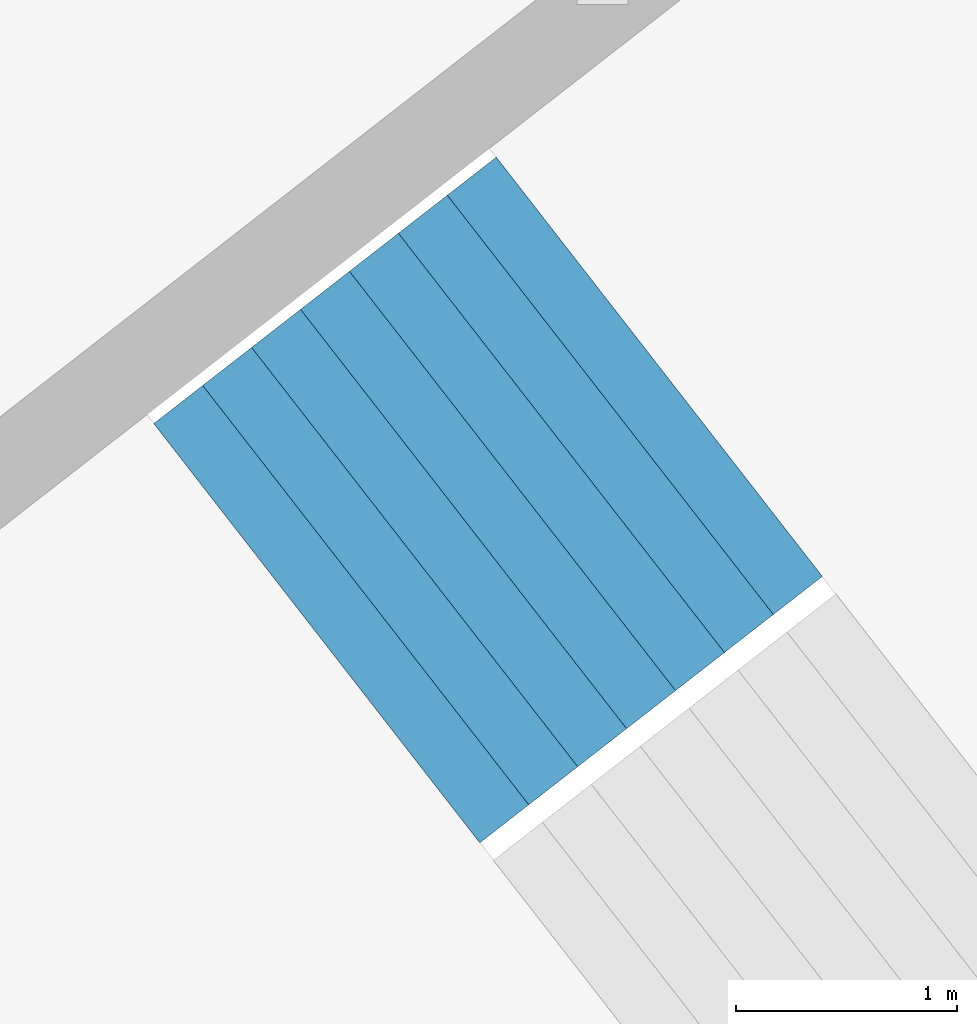
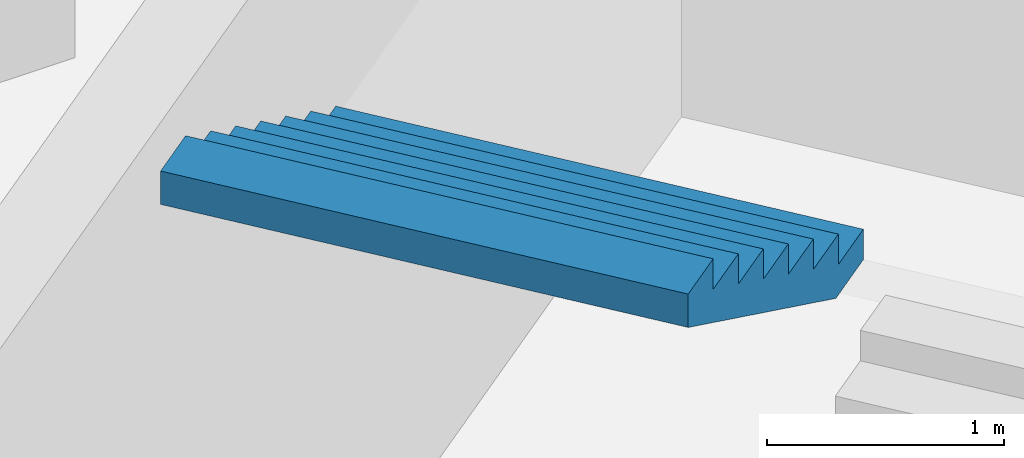
# One storey, part 64 of 73: 1 stair flight, 1 element without a shape of its own.
"""IFC4 building model written with IfcOpenShell, lengths in metres."""

import ifcopenshell
import ifcopenshell.guid

model = None  # the IFC model being written
_history = None  # IfcOwnerHistory: only IFC2X3 demands one
_inside = {}  # id of a spatial element -> (the spatial element, [elements in it])
_under = {}  # id of a project, library or spatial element -> (it, [spatial elements below it])
_declared = {}  # id of a project -> (the project, [libraries it declares])
_typed = {}  # id of a type object -> (the type object, [elements of that type])
_made_of = {}  # id of a material, layer set ... -> (it, [elements and type objects made of it])


def new_model(schema):
    """Start an empty IFC model of exactly this schema.

    Asked for "IFC4X3", IfcOpenShell would pick the latest addendum, in which some entities
    have other attributes; the version numbers below select the first issue.
    IFC2X3 requires an IfcOwnerHistory on every rooted entity: one is made here for all.
    """
    global model, _history
    if schema == "IFC4X3":
        model = ifcopenshell.file(schema_version=(4, 3, 0, 0))
    else:
        model = ifcopenshell.file(schema=schema)
    _inside.clear()
    _under.clear()
    _declared.clear()
    _typed.clear()
    _made_of.clear()
    _history = None
    if model.schema == "IFC2X3":
        org = make("IfcOrganization", Name="unknown")
        user = make(
            "IfcPersonAndOrganization",
            ThePerson=make("IfcPerson", FamilyName="unknown"),
            TheOrganization=org,
        )
        app = make(
            "IfcApplication",
            ApplicationDeveloper=org,
            Version="unknown",
            ApplicationFullName="unknown",
            ApplicationIdentifier="unknown",
        )
        _history = make(
            "IfcOwnerHistory",
            OwningUser=user,
            OwningApplication=app,
            ChangeAction="ADDED",
            CreationDate=0,
        )
    return model


def make(cls, **values):
    """One entity of the class cls with the attributes given. An attribute that is None is left unset."""
    return model.create_entity(
        cls, **{name: value for name, value in values.items() if value is not None}
    )


def rooted(cls, **values):
    """An entity with a GlobalId (a new one), such as an element, a storey or a relation."""
    return make(cls, GlobalId=ifcopenshell.guid.new(), OwnerHistory=_history, **values)


def si_unit(unit_type, name, prefix=None):
    """IfcSIUnit, for example si_unit("LENGTHUNIT", "METRE", prefix="MILLI")."""
    return make("IfcSIUnit", UnitType=unit_type, Prefix=prefix, Name=name)


def assignment(units):
    """IfcUnitAssignment: the units of a project."""
    return None if units is None else make("IfcUnitAssignment", Units=units)


def point(xyz):
    """IfcCartesianPoint."""
    return None if xyz is None else make("IfcCartesianPoint", Coordinates=xyz)


def direction(xyz):
    """IfcDirection."""
    return None if xyz is None else make("IfcDirection", DirectionRatios=xyz)


def frame(location, z_axis=None, x_axis=None):
    """IfcAxis2Placement3D, a coordinate frame: its origin and axes. An axis left out is left unset."""
    return make(
        "IfcAxis2Placement3D",
        Location=point(location),
        Axis=direction(z_axis),
        RefDirection=direction(x_axis),
    )


def origin():
    """The frame at (0, 0, 0) with its axes left unset."""
    return frame((0.0, 0.0, 0.0))


def place(relative_to, where):
    """IfcLocalPlacement: puts the frame where relative to a parent placement (None: the world)."""
    return make(
        "IfcLocalPlacement", PlacementRelTo=relative_to, RelativePlacement=where
    )


def context(
    kind, dimensions, precision=None, world=None, true_north=None, identifier=None
):
    """IfcGeometricRepresentationContext, for example the 3D "Model" context."""
    return make(
        "IfcGeometricRepresentationContext",
        ContextIdentifier=identifier,
        ContextType=kind,
        CoordinateSpaceDimension=dimensions,
        Precision=precision,
        WorldCoordinateSystem=world,
        TrueNorth=true_north,
    )


def subcontext(parent, identifier, kind, view, scale=None):
    """IfcGeometricRepresentationSubContext, for example "Body" below "Model"."""
    return make(
        "IfcGeometricRepresentationSubContext",
        ContextIdentifier=identifier,
        ContextType=kind,
        ParentContext=parent,
        TargetScale=scale,
        TargetView=view,
    )


def project(units=None, contexts=None):
    """IfcProject with its units and contexts."""
    return rooted(
        "IfcProject",
        Name="project",
        RepresentationContexts=contexts,
        UnitsInContext=assignment(units),
    )


def spatial(cls, under=None, at=None, **own):
    """A site, building, storey or space (cls), placed at a placement, below another one or the project."""
    s = rooted(cls, ObjectPlacement=at, **own)
    if under is not None:
        _under.setdefault(under.id(), (under, []))[1].append(s)
    return s


def point_list(points):
    """IfcCartesianPointList2D or 3D."""
    cls = (
        "IfcCartesianPointList2D" if len(points[0]) == 2 else "IfcCartesianPointList3D"
    )
    return make(cls, CoordList=points)


def triangles(points, corners, closed=None, point_numbers=None):
    """IfcTriangulatedFaceSet: each triangle names its three corners, points numbered from 1."""
    return make(
        "IfcTriangulatedFaceSet",
        Coordinates=point_list(points),
        Closed=closed,
        CoordIndex=corners,
        PnIndex=point_numbers,
    )


def shape(context_of_items, identifier, shape_type, items):
    """IfcShapeRepresentation: the items that make up one representation, for example the "Body"."""
    return make(
        "IfcShapeRepresentation",
        ContextOfItems=context_of_items,
        RepresentationIdentifier=identifier,
        RepresentationType=shape_type,
        Items=items,
    )


def material(Name=None, Category=None):
    """IfcMaterial."""
    return make("IfcMaterial", Name=Name, Category=Category)


def made_of(thing, what):
    """Note that an element or type object is made of a material, layer set ...; save() writes the relation."""
    if what is not None:
        _made_of.setdefault(what.id(), (what, []))[1].append(thing)
    return thing


def type_object(cls, material=None, **own):
    """A type object (cls), such as IfcWallType, which elements share."""
    return made_of(rooted(cls, **own), material)


def element(
    cls,
    number,
    at=None,
    inside=None,
    cuts=None,
    type_object=None,
    material=None,
    context=None,
    identifier="Body",
    shape_type=None,
    held_by="IfcProductDefinitionShape",
    body=None,
    shapes=None,
    **own,
):
    """One element of the class cls, such as IfcWall. Its Tag is "e" and its number.

    at: its placement. inside: the storey or other place that contains it. cuts: it is an
    opening in that element (IfcRelVoidsElement). A single representation is given by context,
    identifier, shape_type and body (its items); several are given by shapes. held_by: the class
    of the entity that holds the representations. save() writes the other relations.
    """
    e = rooted(cls, Tag="e%d" % number, ObjectPlacement=at, **own)
    if body is not None:
        shapes = [shape(context, identifier, shape_type, body)]
    if shapes is not None:
        e.Representation = make(held_by, Representations=shapes)
    if inside is not None:
        _inside.setdefault(inside.id(), (inside, []))[1].append(e)
    if cuts is not None:
        rooted(
            "IfcRelVoidsElement", RelatingBuildingElement=cuts, RelatedOpeningElement=e
        )
    if type_object is not None:
        _typed.setdefault(type_object.id(), (type_object, []))[1].append(e)
    return made_of(e, material)


def aggregate(whole, parts):
    """IfcRelAggregates: a whole, such as a stair, and the parts it consists of."""
    return rooted("IfcRelAggregates", RelatingObject=whole, RelatedObjects=parts)


def save(model, path):
    """Write the relations noted so far, then the file.

    IfcRelAggregates (storeys below a building ...), IfcRelContainedInSpatialStructure (elements
    in a storey), IfcRelDefinesByType, IfcRelAssociatesMaterial and IfcRelDeclares: one each for
    every whole, place, type object, material and project.
    """
    for whole, parts in _under.values():
        aggregate(whole, parts)
    for where, things in _inside.values():
        rooted(
            "IfcRelContainedInSpatialStructure",
            RelatedElements=things,
            RelatingStructure=where,
        )
    for kind, things in _typed.values():
        rooted("IfcRelDefinesByType", RelatedObjects=things, RelatingType=kind)
    for what, things in _made_of.values():
        rooted("IfcRelAssociatesMaterial", RelatedObjects=things, RelatingMaterial=what)
    for by, libraries in _declared.values():
        rooted("IfcRelDeclares", RelatingContext=by, RelatedDefinitions=libraries)
    model.write(path)


model = new_model("IFC4")

# Units and contexts
model_context = context("Model", 3, precision=1e-05, world=origin(), true_north=direction((0.0, 1.0)))
body_context = subcontext(model_context, "Body", "Model", "MODEL_VIEW")
ifc_project = project(units=[si_unit("LENGTHUNIT", "METRE"), si_unit("AREAUNIT", "SQUARE_METRE"), si_unit("VOLUMEUNIT", "CUBIC_METRE"), si_unit("PLANEANGLEUNIT", "RADIAN"), si_unit("MASSUNIT", "GRAM", prefix="KILO")], contexts=[model_context])

# Site, building, storey
site_placement = place(None, origin())
site = spatial("IfcSite", under=ifc_project, at=site_placement, CompositionType="ELEMENT")
building_placement = place(site_placement, origin())
building = spatial("IfcBuilding", under=site, at=building_placement, Name="Lantaw Convention Tower", CompositionType="ELEMENT")
storey_placement = place(building_placement, frame((0.0, 0.0, 22.0)))
storey = spatial("IfcBuildingStorey", under=building, at=storey_placement, Name="L03", CompositionType="ELEMENT", Elevation=22.0)

# Stair, stair flight
ifc_material = material(Name="Concrete C35/45", Category="concrete")
stair_type = type_object("IfcStairType", Name="Exit stair 2400 riser 156.25 in 4 flights", PredefinedType="HALF_TURN_STAIR", material=ifc_material)
stair_placement = place(storey_placement, origin())
stair = element("IfcStair", 1, at=stair_placement, inside=storey, type_object=stair_type, Name="Podium exit stair P3 L03", PredefinedType="HALF_TURN_STAIR")
stair_flight_type = type_object("IfcStairFlightType", Name="Stair flight 2400 riser 156.25", PredefinedType="STRAIGHT", material=ifc_material)
stair_flight_placement = place(storey_placement, frame((29.5068359375, 24.53125, 3.75), z_axis=(0.0, 0.0, 1.0), x_axis=(-0.789378829664, -0.613906396186, 0.0)))
stair_flight = element("IfcStairFlight", 2, at=stair_flight_placement, type_object=stair_flight_type, Name="P3 flight 4", NumberOfRisers=8, NumberOfTreads=7, PredefinedType="STRAIGHT", RiserHeight=0.15625, TreadLength=0.28, context=body_context, shape_type="Tessellation", body=[
    triangles([(0.0, 1.199951171875, 0.0), (0.0, 1.199951171875, 0.15625), (0.28, 1.199951171875, 0.0), (0.28, 1.199951171875, 0.15625), (0.28, 1.199951171875, 0.3125), (0.3076200632058044, 1.199951171875, 0.0), (0.3076200632058044, 1.199951171875, 0.3125), (0.56, 1.199951171875, 0.14083701830033238), (0.56, 1.199951171875, 0.3125), (0.56, 1.199951171875, 0.46875), (0.8400000000000001, 1.199951171875, 0.29708701830033235), (0.8400000000000001, 1.199951171875, 0.46875), (0.8400000000000001, 1.199951171875, 0.625), (1.12, 1.199951171875, 0.45333701830033235), (1.12, 1.199951171875, 0.625), (1.12, 1.199951171875, 0.78125), (1.4000000000000001, 1.199951171875, 0.6095870183003324), (1.4000000000000001, 1.199951171875, 0.78125), (1.4000000000000001, 1.199951171875, 0.9375), (1.6800000000000002, 1.199951171875, 0.7658370183003324), (1.6800000000000002, 1.199951171875, 0.9375), (1.6800000000000002, 1.199951171875, 1.09375), (1.9600000000000002, 1.199951171875, 0.9220870183003324), (1.9600000000000002, 1.199951171875, 1.09375), (0.0, -1.199951171875, 0.0), (0.0, -1.199951171875, 0.15625), (0.28, -1.199951171875, 0.0), (0.28, -1.199951171875, 0.15625), (0.28, -1.199951171875, 0.3125), (0.3076200632058044, -1.199951171875, 0.0), (0.3076200632058044, -1.199951171875, 0.3125), (0.56, -1.199951171875, 0.14083701830033238), (0.56, -1.199951171875, 0.3125), (0.56, -1.199951171875, 0.46875), (0.8400000000000001, -1.199951171875, 0.29708701830033235), (0.8400000000000001, -1.199951171875, 0.46875), (0.8400000000000001, -1.199951171875, 0.625), (1.12, -1.199951171875, 0.45333701830033235), (1.12, -1.199951171875, 0.625), (1.12, -1.199951171875, 0.78125), (1.4000000000000001, -1.199951171875, 0.6095870183003324), (1.4000000000000001, -1.199951171875, 0.78125), (1.4000000000000001, -1.199951171875, 0.9375), (1.6800000000000002, -1.199951171875, 0.7658370183003324), (1.6800000000000002, -1.199951171875, 0.9375), (1.6800000000000002, -1.199951171875, 1.09375), (1.9600000000000002, -1.199951171875, 0.9220870183003324), (1.9600000000000002, -1.199951171875, 1.09375), (0.0, 0.239990234375, 0.15625), (0.0, 0.239990234375, 0.0), (0.0, 0.1919921875, 0.15625), (0.0, 0.1919921875, 0.0), (0.0, 0.143994140625, 0.15625), (0.0, 0.143994140625, 0.0), (0.0, 0.09599609375, 0.15625), (0.0, 0.09599609375, 0.0), (0.0, 0.047998046875, 0.15625), (0.0, 0.047998046875, 0.0), (0.0, 0.0, 0.15625), (0.0, 0.0, 0.0), (0.0, -0.047998046875, 0.15625), (0.0, -0.047998046875, 0.0), (0.0, -0.09599609375, 0.15625), (0.0, -0.09599609375, 0.0), (0.0, -0.143994140625, 0.15625), (0.0, -0.143994140625, 0.0), (0.0, -0.1919921875, 0.15625), (0.0, -0.1919921875, 0.0), (0.0, -0.239990234375, 0.15625), (0.0, -0.239990234375, 0.0), (0.28, 0.239990234375, 0.3125), (0.28, 0.239990234375, 0.15625), (0.28, 0.1919921875, 0.3125), (0.28, 0.1919921875, 0.15625), (0.28, 0.143994140625, 0.3125), (0.28, 0.143994140625, 0.15625), (0.28, 0.09599609375, 0.3125), (0.28, 0.09599609375, 0.15625), (0.28, 0.047998046875, 0.3125), (0.28, 0.047998046875, 0.15625), (0.28, 0.0, 0.3125), (0.28, 0.0, 0.15625), (0.28, -0.047998046875, 0.3125), (0.28, -0.047998046875, 0.15625), (0.28, -0.09599609375, 0.3125), (0.28, -0.09599609375, 0.15625), (0.28, -0.143994140625, 0.3125), (0.28, -0.143994140625, 0.15625), (0.28, -0.1919921875, 0.3125), (0.28, -0.1919921875, 0.15625), (0.28, -0.239990234375, 0.3125), (0.28, -0.239990234375, 0.15625), (0.56, 0.239990234375, 0.46875), (0.56, 0.239990234375, 0.3125), (0.56, 0.1919921875, 0.46875), (0.56, 0.1919921875, 0.3125), (0.56, 0.143994140625, 0.46875), (0.56, 0.143994140625, 0.3125), (0.56, 0.09599609375, 0.46875), (0.56, 0.09599609375, 0.3125), (0.56, 0.047998046875, 0.46875), (0.56, 0.047998046875, 0.3125), (0.56, 0.0, 0.46875), (0.56, 0.0, 0.3125), (0.56, -0.047998046875, 0.46875), (0.56, -0.047998046875, 0.3125), (0.56, -0.09599609375, 0.46875), (0.56, -0.09599609375, 0.3125), (0.56, -0.143994140625, 0.46875), (0.56, -0.143994140625, 0.3125), (0.56, -0.1919921875, 0.46875), (0.56, -0.1919921875, 0.3125), (0.56, -0.239990234375, 0.46875), (0.56, -0.239990234375, 0.3125), (0.8400000000000001, 0.239990234375, 0.625), (0.8400000000000001, 0.239990234375, 0.46875), (0.8400000000000001, 0.1919921875, 0.625), (0.8400000000000001, 0.1919921875, 0.46875), (0.8400000000000001, 0.143994140625, 0.625), (0.8400000000000001, 0.143994140625, 0.46875), (0.8400000000000001, 0.09599609375, 0.625), (0.8400000000000001, 0.09599609375, 0.46875), (0.8400000000000001, 0.047998046875, 0.625), (0.8400000000000001, 0.047998046875, 0.46875), (0.8400000000000001, 0.0, 0.625), (0.8400000000000001, 0.0, 0.46875), (0.8400000000000001, -0.047998046875, 0.625), (0.8400000000000001, -0.047998046875, 0.46875), (0.8400000000000001, -0.09599609375, 0.625), (0.8400000000000001, -0.09599609375, 0.46875), (0.8400000000000001, -0.143994140625, 0.625), (0.8400000000000001, -0.143994140625, 0.46875), (0.8400000000000001, -0.1919921875, 0.625), (0.8400000000000001, -0.1919921875, 0.46875), (0.8400000000000001, -0.239990234375, 0.625), (0.8400000000000001, -0.239990234375, 0.46875), (1.12, 0.239990234375, 0.78125), (1.12, 0.239990234375, 0.625), (1.12, 0.1919921875, 0.78125), (1.12, 0.1919921875, 0.625), (1.12, 0.143994140625, 0.78125), (1.12, 0.143994140625, 0.625), (1.12, 0.09599609375, 0.78125), (1.12, 0.09599609375, 0.625), (1.12, 0.047998046875, 0.78125), (1.12, 0.047998046875, 0.625), (1.12, 0.0, 0.78125), (1.12, 0.0, 0.625), (1.12, -0.047998046875, 0.78125), (1.12, -0.047998046875, 0.625), (1.12, -0.09599609375, 0.78125), (1.12, -0.09599609375, 0.625), (1.12, -0.143994140625, 0.78125), (1.12, -0.143994140625, 0.625), (1.12, -0.1919921875, 0.78125), (1.12, -0.1919921875, 0.625), (1.12, -0.239990234375, 0.78125), (1.12, -0.239990234375, 0.625), (1.4000000000000001, 0.239990234375, 0.9375), (1.4000000000000001, 0.239990234375, 0.78125), (1.4000000000000001, 0.1919921875, 0.9375), (1.4000000000000001, 0.1919921875, 0.78125), (1.4000000000000001, 0.143994140625, 0.9375), (1.4000000000000001, 0.143994140625, 0.78125), (1.4000000000000001, 0.09599609375, 0.9375), (1.4000000000000001, 0.09599609375, 0.78125), (1.4000000000000001, 0.047998046875, 0.9375), (1.4000000000000001, 0.047998046875, 0.78125), (1.4000000000000001, 0.0, 0.9375), (1.4000000000000001, 0.0, 0.78125), (1.4000000000000001, -0.047998046875, 0.9375), (1.4000000000000001, -0.047998046875, 0.78125), (1.4000000000000001, -0.09599609375, 0.9375), (1.4000000000000001, -0.09599609375, 0.78125), (1.4000000000000001, -0.143994140625, 0.9375), (1.4000000000000001, -0.143994140625, 0.78125), (1.4000000000000001, -0.1919921875, 0.9375), (1.4000000000000001, -0.1919921875, 0.78125), (1.4000000000000001, -0.239990234375, 0.9375), (1.4000000000000001, -0.239990234375, 0.78125), (1.6800000000000002, 0.239990234375, 1.09375), (1.6800000000000002, 0.239990234375, 0.9375), (1.6800000000000002, 0.1919921875, 1.09375), (1.6800000000000002, 0.1919921875, 0.9375), (1.6800000000000002, 0.143994140625, 1.09375), (1.6800000000000002, 0.143994140625, 0.9375), (1.6800000000000002, 0.09599609375, 1.09375), (1.6800000000000002, 0.09599609375, 0.9375), (1.6800000000000002, 0.047998046875, 1.09375), (1.6800000000000002, 0.047998046875, 0.9375), (1.6800000000000002, 0.0, 1.09375), (1.6800000000000002, 0.0, 0.9375), (1.6800000000000002, -0.047998046875, 1.09375), (1.6800000000000002, -0.047998046875, 0.9375), (1.6800000000000002, -0.09599609375, 1.09375), (1.6800000000000002, -0.09599609375, 0.9375), (1.6800000000000002, -0.143994140625, 1.09375), (1.6800000000000002, -0.143994140625, 0.9375), (1.6800000000000002, -0.1919921875, 1.09375), (1.6800000000000002, -0.1919921875, 0.9375), (1.6800000000000002, -0.239990234375, 1.09375), (1.6800000000000002, -0.239990234375, 0.9375), (0.3076200632058044, 0.239990234375, 0.3125), (0.3076200632058044, 0.1919921875, 0.3125), (0.3076200632058044, 0.143994140625, 0.3125), (0.3076200632058044, 0.09599609375, 0.3125), (0.3076200632058044, 0.047998046875, 0.3125), (0.3076200632058044, 0.0, 0.3125), (0.3076200632058044, -0.047998046875, 0.3125), (0.3076200632058044, -0.09599609375, 0.3125), (0.3076200632058044, -0.143994140625, 0.3125), (0.3076200632058044, -0.1919921875, 0.3125), (0.3076200632058044, -0.239990234375, 0.3125), (1.9600000000000002, 0.239990234375, 1.09375), (1.9600000000000002, 0.1919921875, 1.09375), (1.9600000000000002, 0.143994140625, 1.09375), (1.9600000000000002, 0.09599609375, 1.09375), (1.9600000000000002, 0.047998046875, 1.09375), (1.9600000000000002, 0.0, 1.09375), (1.9600000000000002, -0.047998046875, 1.09375), (1.9600000000000002, -0.09599609375, 1.09375), (1.9600000000000002, -0.143994140625, 1.09375), (1.9600000000000002, -0.1919921875, 1.09375), (1.9600000000000002, -0.239990234375, 1.09375), (1.9600000000000002, 0.239990234375, 0.9220870183003324), (1.9600000000000002, 0.1919921875, 0.9220870183003324), (1.9600000000000002, 0.143994140625, 0.9220870183003324), (1.9600000000000002, 0.09599609375, 0.9220870183003324), (1.9600000000000002, 0.047998046875, 0.9220870183003324), (1.9600000000000002, 0.0, 0.9220870183003324), (1.9600000000000002, -0.047998046875, 0.9220870183003324), (1.9600000000000002, -0.09599609375, 0.9220870183003324), (1.9600000000000002, -0.143994140625, 0.9220870183003324), (1.9600000000000002, -0.1919921875, 0.9220870183003324), (1.9600000000000002, -0.239990234375, 0.9220870183003324), (1.6800000000000002, 0.239990234375, 0.7658370183003324), (1.6800000000000002, 0.1919921875, 0.7658370183003324), (1.6800000000000002, 0.143994140625, 0.7658370183003324), (1.6800000000000002, 0.09599609375, 0.7658370183003324), (1.6800000000000002, 0.047998046875, 0.7658370183003324), (1.6800000000000002, 0.0, 0.7658370183003324), (1.6800000000000002, -0.047998046875, 0.7658370183003324), (1.6800000000000002, -0.09599609375, 0.7658370183003324), (1.6800000000000002, -0.143994140625, 0.7658370183003324), (1.6800000000000002, -0.1919921875, 0.7658370183003324), (1.6800000000000002, -0.239990234375, 0.7658370183003324), (1.4000000000000001, 0.239990234375, 0.6095870183003324), (1.4000000000000001, 0.1919921875, 0.6095870183003324), (1.4000000000000001, 0.143994140625, 0.6095870183003324), (1.4000000000000001, 0.09599609375, 0.6095870183003324), (1.4000000000000001, 0.047998046875, 0.6095870183003324), (1.4000000000000001, 0.0, 0.6095870183003324), (1.4000000000000001, -0.047998046875, 0.6095870183003324), (1.4000000000000001, -0.09599609375, 0.6095870183003324), (1.4000000000000001, -0.143994140625, 0.6095870183003324), (1.4000000000000001, -0.1919921875, 0.6095870183003324), (1.4000000000000001, -0.239990234375, 0.6095870183003324), (1.12, 0.239990234375, 0.45333701830033235), (1.12, 0.1919921875, 0.45333701830033235), (1.12, 0.143994140625, 0.45333701830033235), (1.12, 0.09599609375, 0.45333701830033235), (1.12, 0.047998046875, 0.45333701830033235), (1.12, 0.0, 0.45333701830033235), (1.12, -0.047998046875, 0.45333701830033235), (1.12, -0.09599609375, 0.45333701830033235), (1.12, -0.143994140625, 0.45333701830033235), (1.12, -0.1919921875, 0.45333701830033235), (1.12, -0.239990234375, 0.45333701830033235), (0.8400000000000001, 0.239990234375, 0.29708701830033235), (0.8400000000000001, 0.1919921875, 0.29708701830033235), (0.8400000000000001, 0.143994140625, 0.29708701830033235), (0.8400000000000001, 0.09599609375, 0.29708701830033235), (0.8400000000000001, 0.047998046875, 0.29708701830033235), (0.8400000000000001, 0.0, 0.29708701830033235), (0.8400000000000001, -0.047998046875, 0.29708701830033235), (0.8400000000000001, -0.09599609375, 0.29708701830033235), (0.8400000000000001, -0.143994140625, 0.29708701830033235), (0.8400000000000001, -0.1919921875, 0.29708701830033235), (0.8400000000000001, -0.239990234375, 0.29708701830033235), (0.56, 0.239990234375, 0.14083701830033238), (0.56, 0.1919921875, 0.14083701830033238), (0.56, 0.143994140625, 0.14083701830033238), (0.56, 0.09599609375, 0.14083701830033238), (0.56, 0.047998046875, 0.14083701830033238), (0.56, 0.0, 0.14083701830033238), (0.56, -0.047998046875, 0.14083701830033238), (0.56, -0.09599609375, 0.14083701830033238), (0.56, -0.143994140625, 0.14083701830033238), (0.56, -0.1919921875, 0.14083701830033238), (0.56, -0.239990234375, 0.14083701830033238), (0.3076200632058044, 0.239990234375, 0.0), (0.3076200632058044, 0.1919921875, 0.0), (0.3076200632058044, 0.143994140625, 0.0), (0.3076200632058044, 0.09599609375, 0.0), (0.3076200632058044, 0.047998046875, 0.0), (0.3076200632058044, 0.0, 0.0), (0.3076200632058044, -0.047998046875, 0.0), (0.3076200632058044, -0.09599609375, 0.0), (0.3076200632058044, -0.143994140625, 0.0), (0.3076200632058044, -0.1919921875, 0.0), (0.3076200632058044, -0.239990234375, 0.0), (0.28, 0.239990234375, 0.0), (0.28, 0.1919921875, 0.0), (0.28, 0.143994140625, 0.0), (0.28, 0.09599609375, 0.0), (0.28, 0.047998046875, 0.0), (0.28, 0.0, 0.0), (0.28, -0.047998046875, 0.0), (0.28, -0.09599609375, 0.0), (0.28, -0.143994140625, 0.0), (0.28, -0.1919921875, 0.0), (0.28, -0.239990234375, 0.0)], [[1, 4, 3], [1, 2, 4], [3, 4, 6], [4, 7, 6], [4, 5, 7], [6, 9, 8], [6, 7, 9], [8, 9, 11], [9, 12, 11], [9, 10, 12], [11, 12, 14], [12, 15, 14], [12, 13, 15], [14, 15, 17], [15, 18, 17], [15, 16, 18], [17, 18, 20], [18, 21, 20], [18, 19, 21], [20, 21, 23], [21, 24, 23], [21, 22, 24], [25, 27, 28], [25, 28, 26], [27, 30, 28], [28, 30, 31], [28, 31, 29], [30, 32, 33], [30, 33, 31], [32, 35, 33], [33, 35, 36], [33, 36, 34], [35, 38, 36], [36, 38, 39], [36, 39, 37], [38, 41, 39], [39, 41, 42], [39, 42, 40], [41, 44, 42], [42, 44, 45], [42, 45, 43], [44, 47, 45], [45, 47, 48], [45, 48, 46], [1, 49, 2], [1, 50, 49], [50, 51, 49], [50, 52, 51], [52, 53, 51], [52, 54, 53], [54, 55, 53], [54, 56, 55], [56, 57, 55], [56, 58, 57], [58, 59, 57], [58, 60, 59], [60, 61, 59], [60, 62, 61], [62, 63, 61], [62, 64, 63], [64, 65, 63], [64, 66, 65], [66, 67, 65], [66, 68, 67], [68, 69, 67], [68, 70, 69], [70, 26, 69], [70, 25, 26], [4, 71, 5], [4, 72, 71], [72, 73, 71], [72, 74, 73], [74, 75, 73], [74, 76, 75], [76, 77, 75], [76, 78, 77], [78, 79, 77], [78, 80, 79], [80, 81, 79], [80, 82, 81], [82, 83, 81], [82, 84, 83], [84, 85, 83], [84, 86, 85], [86, 87, 85], [86, 88, 87], [88, 89, 87], [88, 90, 89], [90, 91, 89], [90, 92, 91], [92, 29, 91], [92, 28, 29], [9, 93, 10], [9, 94, 93], [94, 95, 93], [94, 96, 95], [96, 97, 95], [96, 98, 97], [98, 99, 97], [98, 100, 99], [100, 101, 99], [100, 102, 101], [102, 103, 101], [102, 104, 103], [104, 105, 103], [104, 106, 105], [106, 107, 105], [106, 108, 107], [108, 109, 107], [108, 110, 109], [110, 111, 109], [110, 112, 111], [112, 113, 111], [112, 114, 113], [114, 34, 113], [114, 33, 34], [12, 115, 13], [12, 116, 115], [116, 117, 115], [116, 118, 117], [118, 119, 117], [118, 120, 119], [120, 121, 119], [120, 122, 121], [122, 123, 121], [122, 124, 123], [124, 125, 123], [124, 126, 125], [126, 127, 125], [126, 128, 127], [128, 129, 127], [128, 130, 129], [130, 131, 129], [130, 132, 131], [132, 133, 131], [132, 134, 133], [134, 135, 133], [134, 136, 135], [136, 37, 135], [136, 36, 37], [15, 137, 16], [15, 138, 137], [138, 139, 137], [138, 140, 139], [140, 141, 139], [140, 142, 141], [142, 143, 141], [142, 144, 143], [144, 145, 143], [144, 146, 145], [146, 147, 145], [146, 148, 147], [148, 149, 147], [148, 150, 149], [150, 151, 149], [150, 152, 151], [152, 153, 151], [152, 154, 153], [154, 155, 153], [154, 156, 155], [156, 157, 155], [156, 158, 157], [158, 40, 157], [158, 39, 40], [18, 159, 19], [18, 160, 159], [160, 161, 159], [160, 162, 161], [162, 163, 161], [162, 164, 163], [164, 165, 163], [164, 166, 165], [166, 167, 165], [166, 168, 167], [168, 169, 167], [168, 170, 169], [170, 171, 169], [170, 172, 171], [172, 173, 171], [172, 174, 173], [174, 175, 173], [174, 176, 175], [176, 177, 175], [176, 178, 177], [178, 179, 177], [178, 180, 179], [180, 43, 179], [180, 42, 43], [21, 181, 22], [21, 182, 181], [182, 183, 181], [182, 184, 183], [184, 185, 183], [184, 186, 185], [186, 187, 185], [186, 188, 187], [188, 189, 187], [188, 190, 189], [190, 191, 189], [190, 192, 191], [192, 193, 191], [192, 194, 193], [194, 195, 193], [194, 196, 195], [196, 197, 195], [196, 198, 197], [198, 199, 197], [198, 200, 199], [200, 201, 199], [200, 202, 201], [202, 46, 201], [202, 45, 46], [2, 72, 4], [2, 49, 72], [49, 74, 72], [49, 51, 74], [51, 76, 74], [51, 53, 76], [53, 78, 76], [53, 55, 78], [55, 80, 78], [55, 57, 80], [57, 82, 80], [57, 59, 82], [59, 84, 82], [59, 61, 84], [61, 86, 84], [61, 63, 86], [63, 88, 86], [63, 65, 88], [65, 90, 88], [65, 67, 90], [67, 92, 90], [67, 69, 92], [69, 28, 92], [69, 26, 28], [5, 203, 7], [5, 71, 203], [71, 204, 203], [71, 73, 204], [73, 205, 204], [73, 75, 205], [75, 206, 205], [75, 77, 206], [77, 207, 206], [77, 79, 207], [79, 208, 207], [79, 81, 208], [81, 209, 208], [81, 83, 209], [83, 210, 209], [83, 85, 210], [85, 211, 210], [85, 87, 211], [87, 212, 211], [87, 89, 212], [89, 213, 212], [89, 91, 213], [91, 31, 213], [91, 29, 31], [7, 94, 9], [7, 203, 94], [203, 96, 94], [203, 204, 96], [204, 98, 96], [204, 205, 98], [205, 100, 98], [205, 206, 100], [206, 102, 100], [206, 207, 102], [207, 104, 102], [207, 208, 104], [208, 106, 104], [208, 209, 106], [209, 108, 106], [209, 210, 108], [210, 110, 108], [210, 211, 110], [211, 112, 110], [211, 212, 112], [212, 114, 112], [212, 213, 114], [213, 33, 114], [213, 31, 33], [10, 116, 12], [10, 93, 116], [93, 118, 116], [93, 95, 118], [95, 120, 118], [95, 97, 120], [97, 122, 120], [97, 99, 122], [99, 124, 122], [99, 101, 124], [101, 126, 124], [101, 103, 126], [103, 128, 126], [103, 105, 128], [105, 130, 128], [105, 107, 130], [107, 132, 130], [107, 109, 132], [109, 134, 132], [109, 111, 134], [111, 136, 134], [111, 113, 136], [113, 36, 136], [113, 34, 36], [13, 138, 15], [13, 115, 138], [115, 140, 138], [115, 117, 140], [117, 142, 140], [117, 119, 142], [119, 144, 142], [119, 121, 144], [121, 146, 144], [121, 123, 146], [123, 148, 146], [123, 125, 148], [125, 150, 148], [125, 127, 150], [127, 152, 150], [127, 129, 152], [129, 154, 152], [129, 131, 154], [131, 156, 154], [131, 133, 156], [133, 158, 156], [133, 135, 158], [135, 39, 158], [135, 37, 39], [16, 160, 18], [16, 137, 160], [137, 162, 160], [137, 139, 162], [139, 164, 162], [139, 141, 164], [141, 166, 164], [141, 143, 166], [143, 168, 166], [143, 145, 168], [145, 170, 168], [145, 147, 170], [147, 172, 170], [147, 149, 172], [149, 174, 172], [149, 151, 174], [151, 176, 174], [151, 153, 176], [153, 178, 176], [153, 155, 178], [155, 180, 178], [155, 157, 180], [157, 42, 180], [157, 40, 42], [19, 182, 21], [19, 159, 182], [159, 184, 182], [159, 161, 184], [161, 186, 184], [161, 163, 186], [163, 188, 186], [163, 165, 188], [165, 190, 188], [165, 167, 190], [167, 192, 190], [167, 169, 192], [169, 194, 192], [169, 171, 194], [171, 196, 194], [171, 173, 196], [173, 198, 196], [173, 175, 198], [175, 200, 198], [175, 177, 200], [177, 202, 200], [177, 179, 202], [179, 45, 202], [179, 43, 45], [22, 214, 24], [22, 181, 214], [181, 215, 214], [181, 183, 215], [183, 216, 215], [183, 185, 216], [185, 217, 216], [185, 187, 217], [187, 218, 217], [187, 189, 218], [189, 219, 218], [189, 191, 219], [191, 220, 219], [191, 193, 220], [193, 221, 220], [193, 195, 221], [195, 222, 221], [195, 197, 222], [197, 223, 222], [197, 199, 223], [199, 224, 223], [199, 201, 224], [201, 48, 224], [201, 46, 48], [24, 225, 23], [24, 214, 225], [214, 226, 225], [214, 215, 226], [215, 227, 226], [215, 216, 227], [216, 228, 227], [216, 217, 228], [217, 229, 228], [217, 218, 229], [218, 230, 229], [218, 219, 230], [219, 231, 230], [219, 220, 231], [220, 232, 231], [220, 221, 232], [221, 233, 232], [221, 222, 233], [222, 234, 233], [222, 223, 234], [223, 235, 234], [223, 224, 235], [224, 47, 235], [224, 48, 47], [23, 236, 20], [23, 225, 236], [225, 237, 236], [225, 226, 237], [226, 238, 237], [226, 227, 238], [227, 239, 238], [227, 228, 239], [228, 240, 239], [228, 229, 240], [229, 241, 240], [229, 230, 241], [230, 242, 241], [230, 231, 242], [231, 243, 242], [231, 232, 243], [232, 244, 243], [232, 233, 244], [233, 245, 244], [233, 234, 245], [234, 246, 245], [234, 235, 246], [235, 44, 246], [235, 47, 44], [20, 247, 17], [20, 236, 247], [236, 248, 247], [236, 237, 248], [237, 249, 248], [237, 238, 249], [238, 250, 249], [238, 239, 250], [239, 251, 250], [239, 240, 251], [240, 252, 251], [240, 241, 252], [241, 253, 252], [241, 242, 253], [242, 254, 253], [242, 243, 254], [243, 255, 254], [243, 244, 255], [244, 256, 255], [244, 245, 256], [245, 257, 256], [245, 246, 257], [246, 41, 257], [246, 44, 41], [17, 258, 14], [17, 247, 258], [247, 259, 258], [247, 248, 259], [248, 260, 259], [248, 249, 260], [249, 261, 260], [249, 250, 261], [250, 262, 261], [250, 251, 262], [251, 263, 262], [251, 252, 263], [252, 264, 263], [252, 253, 264], [253, 265, 264], [253, 254, 265], [254, 266, 265], [254, 255, 266], [255, 267, 266], [255, 256, 267], [256, 268, 267], [256, 257, 268], [257, 38, 268], [257, 41, 38], [14, 269, 11], [14, 258, 269], [258, 270, 269], [258, 259, 270], [259, 271, 270], [259, 260, 271], [260, 272, 271], [260, 261, 272], [261, 273, 272], [261, 262, 273], [262, 274, 273], [262, 263, 274], [263, 275, 274], [263, 264, 275], [264, 276, 275], [264, 265, 276], [265, 277, 276], [265, 266, 277], [266, 278, 277], [266, 267, 278], [267, 279, 278], [267, 268, 279], [268, 35, 279], [268, 38, 35], [11, 280, 8], [11, 269, 280], [269, 281, 280], [269, 270, 281], [270, 282, 281], [270, 271, 282], [271, 283, 282], [271, 272, 283], [272, 284, 283], [272, 273, 284], [273, 285, 284], [273, 274, 285], [274, 286, 285], [274, 275, 286], [275, 287, 286], [275, 276, 287], [276, 288, 287], [276, 277, 288], [277, 289, 288], [277, 278, 289], [278, 290, 289], [278, 279, 290], [279, 32, 290], [279, 35, 32], [8, 291, 6], [8, 280, 291], [280, 292, 291], [280, 281, 292], [281, 293, 292], [281, 282, 293], [282, 294, 293], [282, 283, 294], [283, 295, 294], [283, 284, 295], [284, 296, 295], [284, 285, 296], [285, 297, 296], [285, 286, 297], [286, 298, 297], [286, 287, 298], [287, 299, 298], [287, 288, 299], [288, 300, 299], [288, 289, 300], [289, 301, 300], [289, 290, 301], [290, 30, 301], [290, 32, 30], [6, 302, 3], [6, 291, 302], [291, 303, 302], [291, 292, 303], [292, 304, 303], [292, 293, 304], [293, 305, 304], [293, 294, 305], [294, 306, 305], [294, 295, 306], [295, 307, 306], [295, 296, 307], [296, 308, 307], [296, 297, 308], [297, 309, 308], [297, 298, 309], [298, 310, 309], [298, 299, 310], [299, 311, 310], [299, 300, 311], [300, 312, 311], [300, 301, 312], [301, 27, 312], [301, 30, 27], [3, 50, 1], [3, 302, 50], [302, 52, 50], [302, 303, 52], [303, 54, 52], [303, 304, 54], [304, 56, 54], [304, 305, 56], [305, 58, 56], [305, 306, 58], [306, 60, 58], [306, 307, 60], [307, 62, 60], [307, 308, 62], [308, 64, 62], [308, 309, 64], [309, 66, 64], [309, 310, 66], [310, 68, 66], [310, 311, 68], [311, 70, 68], [311, 312, 70], [312, 25, 70], [312, 27, 25]], closed=True),
])
aggregate(stair, [stair_flight])

save(model, "model.ifc")
